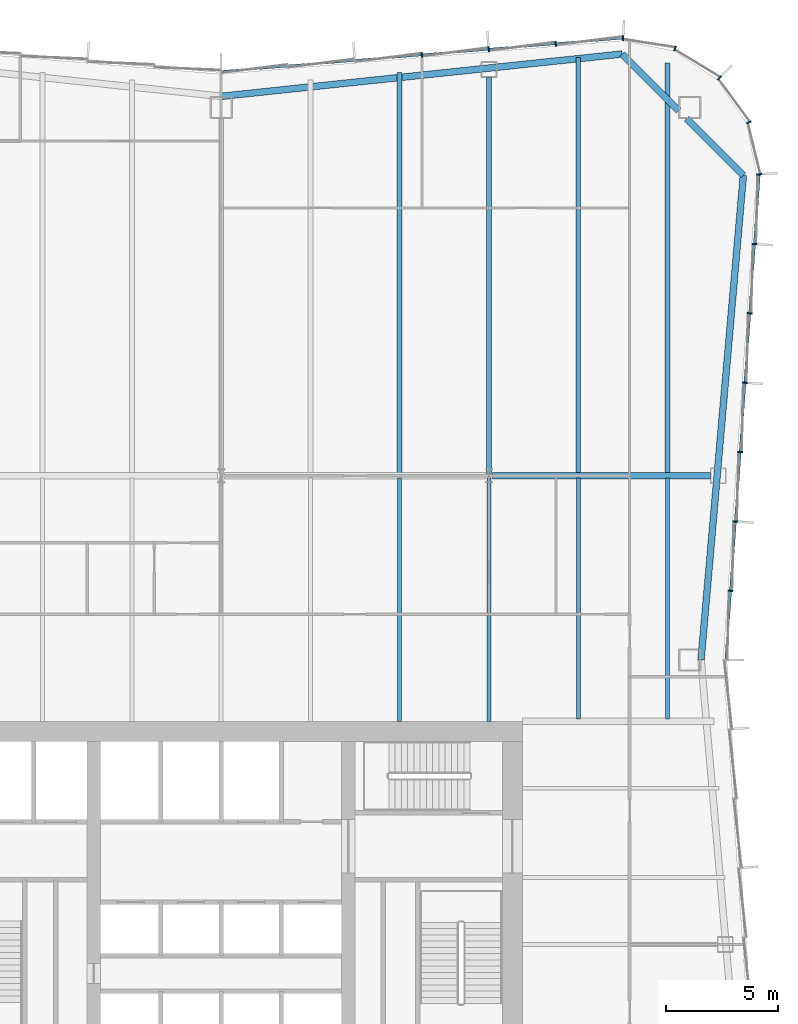
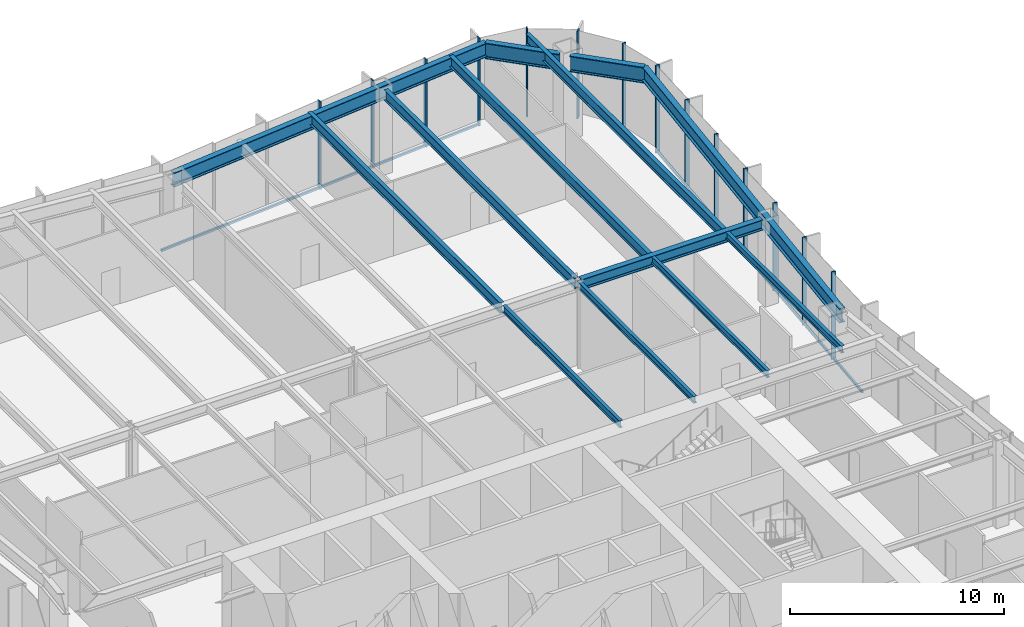
# One storey, part 6 of 16: 16 members, 13 beams, 3 elements without a shape of their own.
"""IFC4 building model written with IfcOpenShell, lengths in metres."""

from ifc_helpers import new_model, si_unit, direction, frame, origin, origin_2d, place, context, subcontext, project, spatial, rectangle, i_section, extrude, material, material_profile, profile_set, type_object, element, aggregate, save


model = new_model("IFC4")

# Units and contexts
model_context = context("Model", 3, precision=1e-05, world=origin(), true_north=direction((0.0, 1.0)))
body_context = subcontext(model_context, "Body", "Model", "MODEL_VIEW")
ifc_project = project(units=[si_unit("LENGTHUNIT", "METRE"), si_unit("AREAUNIT", "SQUARE_METRE"), si_unit("VOLUMEUNIT", "CUBIC_METRE"), si_unit("PLANEANGLEUNIT", "RADIAN"), si_unit("MASSUNIT", "GRAM", prefix="KILO")], contexts=[model_context])

# Site, building, storey
site_placement = place(None, origin())
site = spatial("IfcSite", under=ifc_project, at=site_placement, CompositionType="ELEMENT")
building_placement = place(site_placement, origin())
building = spatial("IfcBuilding", under=site, at=building_placement, Name="Verdant Reach Tower", CompositionType="ELEMENT")
storey_placement = place(building_placement, frame((0.0, 0.0, 177.0)))
storey = spatial("IfcBuildingStorey", under=building, at=storey_placement, Name="L40", CompositionType="ELEMENT", Elevation=177.0)

# Curtain wall, members
ifc_material_1 = material(Name="Anodised aluminium", Category="aluminium")
curtain_wall_type = type_object("IfcCurtainWallType", Name="EN-CW SYSTEM Z3", PredefinedType="NOTDEFINED", material=ifc_material_1)
curtain_wall_1_placement = place(storey_placement, origin())
curtain_wall_1 = element("IfcCurtainWall", 1, at=curtain_wall_1_placement, inside=storey, type_object=curtain_wall_type, Name="Curtain wall east, L40", PredefinedType="NOTDEFINED")
ifc_material_profile_1 = material_profile(ifc_material_1, rectangle(XDim=0.218017578125, YDim=0.06591796875, at=origin_2d()), Name="Mullion 66x218")
ifc_profile_set_1 = profile_set([ifc_material_profile_1], Name="Anodised aluminium")
member_type_1 = type_object("IfcMemberType", Name="EN-MULLION Z3", PredefinedType="MULLION", material=ifc_profile_set_1)
member_1_placement = place(storey_placement, frame((22.822998046875, 44.349609375, -0.35009765625), z_axis=(0.0, 0.0, 1.0), x_axis=(0.997630328423, -0.068802091615, 0.0)))
member_1 = element("IfcMember", 2, at=member_1_placement, type_object=member_type_1, Name="Mullion east face part 2 2, L40", PredefinedType="MULLION", context=body_context, shape_type="SweptSolid", body=[
    extrude(rectangle(XDim=0.218017578125, YDim=0.06591796875, at=origin_2d()), origin(), (0.0, 0.0, 1.0), 5.0),
])
member_2_placement = place(storey_placement, frame((23.037353515625, 47.456787109375, -0.35009765625), z_axis=(0.0, 0.0, 1.0), x_axis=(0.997630328423, -0.068802091615, 0.0)))
member_2 = element("IfcMember", 3, at=member_2_placement, type_object=member_type_1, Name="Mullion east face part 2 3, L40", PredefinedType="MULLION", context=body_context, shape_type="SweptSolid", body=[
    extrude(rectangle(XDim=0.218017578125, YDim=0.06591796875, at=origin_2d()), origin(), (0.0, 0.0, 1.0), 5.0),
])
member_3_placement = place(storey_placement, frame((23.251708984375, 50.56396484375, -0.35009765625), z_axis=(0.0, 0.0, 1.0), x_axis=(0.997630328423, -0.068802091615, 0.0)))
member_3 = element("IfcMember", 4, at=member_3_placement, type_object=member_type_1, Name="Mullion east face part 2 4, L40", PredefinedType="MULLION", context=body_context, shape_type="SweptSolid", body=[
    extrude(rectangle(XDim=0.218017578125, YDim=0.06591796875, at=origin_2d()), origin(), (0.0, 0.0, 1.0), 5.0),
])
member_4_placement = place(storey_placement, frame((23.4658203125, 53.671142578125, -0.35009765625), z_axis=(0.0, 0.0, 1.0), x_axis=(0.997630328423, -0.068802091615, 0.0)))
member_4 = element("IfcMember", 5, at=member_4_placement, type_object=member_type_1, Name="Mullion east face part 2 5, L40", PredefinedType="MULLION", context=body_context, shape_type="SweptSolid", body=[
    extrude(rectangle(XDim=0.218017578125, YDim=0.06591796875, at=origin_2d()), origin(), (0.0, 0.0, 1.0), 5.0),
])
member_5_placement = place(storey_placement, frame((23.68017578125, 56.7783203125, -0.35009765625), z_axis=(0.0, 0.0, 1.0), x_axis=(0.997630328423, -0.068802091615, 0.0)))
member_5 = element("IfcMember", 6, at=member_5_placement, type_object=member_type_1, Name="Mullion east face part 2 6, L40", PredefinedType="MULLION", context=body_context, shape_type="SweptSolid", body=[
    extrude(rectangle(XDim=0.218017578125, YDim=0.06591796875, at=origin_2d()), origin(), (0.0, 0.0, 1.0), 5.0),
])
member_6_placement = place(storey_placement, frame((23.89453125, 59.88525390625, -0.35009765625), z_axis=(0.0, 0.0, 1.0), x_axis=(0.997630328423, -0.068802091615, 0.0)))
member_6 = element("IfcMember", 7, at=member_6_placement, type_object=member_type_1, Name="Mullion east face part 2 7, L40", PredefinedType="MULLION", context=body_context, shape_type="SweptSolid", body=[
    extrude(rectangle(XDim=0.218017578125, YDim=0.06591796875, at=origin_2d()), origin(), (0.0, 0.0, 1.0), 5.0),
])

curtain_wall_2_placement = place(storey_placement, origin())
curtain_wall_2 = element("IfcCurtainWall", 8, at=curtain_wall_2_placement, inside=storey, type_object=curtain_wall_type, Name="Curtain wall north-east corner, L40", PredefinedType="NOTDEFINED")
member_7_placement = place(storey_placement, frame((24.10888671875, 63.0068359375, -0.35009765625), z_axis=(0.0, 0.0, 1.0), x_axis=(0.997969180898, 0.063698618332, 0.0)))
member_7 = element("IfcMember", 9, at=member_7_placement, type_object=member_type_1, Name="Mullion north-east corner 1, L40", PredefinedType="MULLION", context=body_context, shape_type="SweptSolid", body=[
    extrude(rectangle(XDim=0.218017578125, YDim=0.06591796875, at=origin_2d()), origin(), (0.0, 0.0, 1.0), 5.0),
])
member_8_placement = place(storey_placement, frame((23.64404296875, 65.337890625, -0.35009765625), z_axis=(0.0, 0.0, 1.0), x_axis=(0.923875215753, 0.382693853776, 0.0)))
member_8 = element("IfcMember", 10, at=member_8_placement, type_object=member_type_1, Name="Mullion north-east corner 2, L40", PredefinedType="MULLION", context=body_context, shape_type="SweptSolid", body=[
    extrude(rectangle(XDim=0.218017578125, YDim=0.06591796875, at=origin_2d()), origin(), (0.0, 0.0, 1.0), 5.0),
])
member_9_placement = place(storey_placement, frame((22.319580078125, 67.319580078125, -0.35009765625), z_axis=(0.0, 0.0, 1.0), x_axis=(0.707106781187, 0.707106781187, 0.0)))
member_9 = element("IfcMember", 11, at=member_9_placement, type_object=member_type_1, Name="Mullion north-east corner 3, L40", PredefinedType="MULLION", context=body_context, shape_type="SweptSolid", body=[
    extrude(rectangle(XDim=0.218017578125, YDim=0.06591796875, at=origin_2d()), origin(), (0.0, 0.0, 1.0), 5.0),
])
member_10_placement = place(storey_placement, frame((20.337890625, 68.64404296875, -0.35009765625), z_axis=(0.0, 0.0, 1.0), x_axis=(0.382693853776, 0.923875215753, 0.0)))
member_10 = element("IfcMember", 12, at=member_10_placement, type_object=member_type_1, Name="Mullion north-east corner 4, L40", PredefinedType="MULLION", context=body_context, shape_type="SweptSolid", body=[
    extrude(rectangle(XDim=0.218017578125, YDim=0.06591796875, at=origin_2d()), origin(), (0.0, 0.0, 1.0), 5.0),
])
aggregate(curtain_wall_2, [member_7, member_8, member_9, member_10])

curtain_wall_3_placement = place(storey_placement, origin())
curtain_wall_3 = element("IfcCurtainWall", 13, at=curtain_wall_3_placement, inside=storey, type_object=curtain_wall_type, Name="Curtain wall north, L40", PredefinedType="NOTDEFINED")
member_11_placement = place(storey_placement, frame((18.006103515625, 69.10888671875, -0.35009765625), z_axis=(0.0, 0.0, 1.0), x_axis=(0.056569187765, 0.998398681387, 0.0)))
member_11 = element("IfcMember", 14, at=member_11_placement, type_object=member_type_1, Name="Mullion north face part 1 1, L40", PredefinedType="MULLION", context=body_context, shape_type="SweptSolid", body=[
    extrude(rectangle(XDim=0.218017578125, YDim=0.06591796875, at=origin_2d()), origin(), (0.0, 0.0, 1.0), 5.0),
])
member_12_placement = place(storey_placement, frame((14.990966796875, 68.858642578125, -0.35009765625), z_axis=(0.0, 0.0, 1.0), x_axis=(-0.083045479859, 0.996545758244, 0.0)))
member_12 = element("IfcMember", 15, at=member_12_placement, type_object=member_type_1, Name="Mullion north face part 1 2, L40", PredefinedType="MULLION", context=body_context, shape_type="SweptSolid", body=[
    extrude(rectangle(XDim=0.218017578125, YDim=0.06591796875, at=origin_2d()), origin(), (0.0, 0.0, 1.0), 5.0),
])
member_13_placement = place(storey_placement, frame((11.990966796875, 68.608642578125, -0.35009765625), z_axis=(0.0, 0.0, 1.0), x_axis=(-0.083045479859, 0.996545758244, 0.0)))
member_13 = element("IfcMember", 16, at=member_13_placement, type_object=member_type_1, Name="Mullion north face part 1 3, L40", PredefinedType="MULLION", context=body_context, shape_type="SweptSolid", body=[
    extrude(rectangle(XDim=0.218017578125, YDim=0.06591796875, at=origin_2d()), origin(), (0.0, 0.0, 1.0), 5.0),
])
member_14_placement = place(storey_placement, frame((8.990966796875, 68.358642578125, -0.35009765625), z_axis=(0.0, 0.0, 1.0), x_axis=(-0.083045479859, 0.996545758244, 0.0)))
member_14 = element("IfcMember", 17, at=member_14_placement, type_object=member_type_1, Name="Mullion north face part 1 4, L40", PredefinedType="MULLION", context=body_context, shape_type="SweptSolid", body=[
    extrude(rectangle(XDim=0.218017578125, YDim=0.06591796875, at=origin_2d()), origin(), (0.0, 0.0, 1.0), 5.0),
])

# Member
ifc_material_profile_2 = material_profile(ifc_material_1, rectangle(XDim=0.10009765625, YDim=0.1259765625, at=origin_2d()), Name="Transom 126x100")
ifc_profile_set_2 = profile_set([ifc_material_profile_2], Name="Anodised aluminium")
member_type_2 = type_object("IfcMemberType", Name="EN-TRANSOM Z3", PredefinedType="USERDEFINED", material=ifc_profile_set_2)
member_15_placement = place(storey_placement, frame((22.611328125, 41.282958984375, -0.287109375), z_axis=(0.068764326054, 0.997632932226, 0.0), x_axis=(-0.997632932226, 0.068764326054, 0.0)))
member_15 = element("IfcMember", 18, at=member_15_placement, type_object=member_type_2, Name="Transom east face part 2 1.1, L40", ObjectType="TRANSOM", PredefinedType="USERDEFINED", context=body_context, shape_type="SweptSolid", body=[
    extrude(rectangle(XDim=0.10009765625, YDim=0.1259765625, at=origin_2d()), origin(), (0.0, 0.0, 1.0), 21.74267578125),
])

aggregate(curtain_wall_1, [member_1, member_2, member_3, member_4, member_5, member_6, member_15])

member_16_placement = place(storey_placement, frame((17.973388671875, 69.106201171875, -0.287109375), z_axis=(-0.996548750467, -0.083009565369, 0.0), x_axis=(0.083009565369, -0.996548750467, 0.0)))
member_16 = element("IfcMember", 19, at=member_16_placement, type_object=member_type_2, Name="Transom north face part 1 1.1, L40", ObjectType="TRANSOM", PredefinedType="USERDEFINED", context=body_context, shape_type="SweptSolid", body=[
    extrude(rectangle(XDim=0.10009765625, YDim=0.1259765625, at=origin_2d()), origin(), (0.0, 0.0, 1.0), 18.00244140625),
])

aggregate(curtain_wall_3, [member_11, member_12, member_13, member_14, member_16])

# Beams
ifc_material_2 = material(Name="Steel S355", Category="steel")
ifc_material_profile_3 = material_profile(ifc_material_2, i_section(OverallWidth=0.300048828125, OverallDepth=0.60009765625, WebThickness=0.015380859375, FlangeThickness=0.030029296875, FilletRadius=0.027099609375, at=origin_2d()), Name="HEB 600")
ifc_profile_set_3 = profile_set([ifc_material_profile_3], Name="Steel S355")
beam_type_1 = type_object("IfcBeamType", Name="ST-BEAM-HEB600", PredefinedType="BEAM", material=ifc_profile_set_3)
beam_1_placement = place(storey_placement, frame((12.152587890625, 49.5, 4.570068359375), z_axis=(1.0, 0.0, 0.0), x_axis=(0.0, 1.0, 0.0)))
element("IfcBeam", 20, at=beam_1_placement, inside=storey, type_object=beam_type_1, Name="Row girder, L40", PredefinedType="BEAM", context=body_context, shape_type="SweptSolid", body=[
    extrude(i_section(OverallWidth=0.300048828125, OverallDepth=0.60009765625, WebThickness=0.015380859375, FlangeThickness=0.030029296875, FilletRadius=0.027099609375, at=origin_2d()), origin(), (0.0, 0.0, 1.0), 9.766357421875),
])
ifc_material_profile_4 = material_profile(ifc_material_2, i_section(OverallWidth=0.179931640625, OverallDepth=0.39990234375, WebThickness=0.008544921875, FlangeThickness=0.013427734375, FilletRadius=0.02099609375, at=origin_2d()), Name="IPE 400")
ifc_profile_set_4 = profile_set([ifc_material_profile_4], Name="Steel S355")
beam_type_2 = type_object("IfcBeamType", Name="ST-JOIST-IPE400", PredefinedType="JOIST", material=ifc_profile_set_4)
for number, where, z_axis, x_axis, name in (
    (21, (8.0, 38.5, 4.669921875), (0.0, 1.0, 0.0), (-1.0, 0.0, 0.0), "Floor joist, L40"),
    (22, (12.0, 38.5, 4.669921875), (0.0, 1.0, 0.0), (-1.0, 0.0, 0.0), "Floor joist, L40"),
):
    element("IfcBeam", number, at=place(storey_placement, frame(where, z_axis=z_axis, x_axis=x_axis)), inside=storey, type_object=beam_type_2, Name=name, PredefinedType="JOIST", context=body_context, shape_type="SweptSolid", body=[
        extrude(i_section(OverallWidth=0.179931640625, OverallDepth=0.39990234375, WebThickness=0.008544921875, FlangeThickness=0.013427734375, FilletRadius=0.02099609375, at=origin_2d()), origin(), (0.0, 0.0, 1.0), 10.89990234375),
    ])
for number, where, z_axis, x_axis, name in (
    (23, (16.0, 38.60009765625, 4.669921875), (0.0, 1.0, 0.0), (-1.0, 0.0, 0.0), "Floor joist, L40"),
    (24, (20.0, 38.60009765625, 4.669921875), (0.0, 1.0, 0.0), (-1.0, 0.0, 0.0), "Floor joist, L40"),
):
    element("IfcBeam", number, at=place(storey_placement, frame(where, z_axis=z_axis, x_axis=x_axis)), inside=storey, type_object=beam_type_2, Name=name, PredefinedType="JOIST", context=body_context, shape_type="SweptSolid", body=[
        extrude(i_section(OverallWidth=0.179931640625, OverallDepth=0.39990234375, WebThickness=0.008544921875, FlangeThickness=0.013427734375, FilletRadius=0.02099609375, at=origin_2d()), origin(), (0.0, 0.0, 1.0), 10.7998046875),
    ])
ifc_material_profile_5 = material_profile(ifc_material_2, i_section(OverallWidth=0.219970703125, OverallDepth=0.60009765625, WebThickness=0.011962890625, FlangeThickness=0.01904296875, FilletRadius=0.02392578125, at=origin_2d()), Name="IPE 600")
ifc_profile_set_5 = profile_set([ifc_material_profile_5], Name="Steel S355")
beam_type_3 = type_object("IfcBeamType", Name="ST-JOIST-IPE600", PredefinedType="JOIST", material=ifc_profile_set_5)
beam_2_placement = place(storey_placement, frame((8.0, 49.60009765625, 4.570068359375), z_axis=(0.0, 1.0, 0.0), x_axis=(-1.0, 0.0, 0.0)))
element("IfcBeam", 25, at=beam_2_placement, inside=storey, type_object=beam_type_3, Name="Floor joist, L40", PredefinedType="JOIST", context=body_context, shape_type="SweptSolid", body=[
    extrude(i_section(OverallWidth=0.219970703125, OverallDepth=0.60009765625, WebThickness=0.011962890625, FlangeThickness=0.01904296875, FilletRadius=0.02392578125, at=origin_2d()), origin(), (0.0, 0.0, 1.0), 17.964599609375),
])
beam_3_placement = place(storey_placement, frame((12.0, 49.60009765625, 4.570068359375), z_axis=(0.0, 1.0, 0.0), x_axis=(-1.0, 0.0, 0.0)))
element("IfcBeam", 26, at=beam_3_placement, inside=storey, type_object=beam_type_3, Name="Floor joist, L40", PredefinedType="JOIST", context=body_context, shape_type="SweptSolid", body=[
    extrude(i_section(OverallWidth=0.219970703125, OverallDepth=0.60009765625, WebThickness=0.011962890625, FlangeThickness=0.01904296875, FilletRadius=0.02392578125, at=origin_2d()), origin(), (0.0, 0.0, 1.0), 17.75),
])
beam_4_placement = place(storey_placement, frame((16.0, 49.60009765625, 4.570068359375), z_axis=(0.0, 1.0, 0.0), x_axis=(-1.0, 0.0, 0.0)))
element("IfcBeam", 27, at=beam_4_placement, inside=storey, type_object=beam_type_3, Name="Floor joist, L40", PredefinedType="JOIST", context=body_context, shape_type="SweptSolid", body=[
    extrude(i_section(OverallWidth=0.219970703125, OverallDepth=0.60009765625, WebThickness=0.011962890625, FlangeThickness=0.01904296875, FilletRadius=0.02392578125, at=origin_2d()), origin(), (0.0, 0.0, 1.0), 18.631103515625),
])
beam_5_placement = place(storey_placement, frame((20.0, 49.60009765625, 4.570068359375), z_axis=(0.0, 1.0, 0.0), x_axis=(-1.0, 0.0, 0.0)))
element("IfcBeam", 28, at=beam_5_placement, inside=storey, type_object=beam_type_3, Name="Floor joist, L40", PredefinedType="JOIST", context=body_context, shape_type="SweptSolid", body=[
    extrude(i_section(OverallWidth=0.219970703125, OverallDepth=0.60009765625, WebThickness=0.011962890625, FlangeThickness=0.01904296875, FilletRadius=0.02392578125, at=origin_2d()), origin(), (0.0, 0.0, 1.0), 18.390380859375),
])
ifc_material_profile_6 = material_profile(ifc_material_2, i_section(OverallWidth=0.300048828125, OverallDepth=0.800048828125, WebThickness=0.017578125, FlangeThickness=0.032958984375, FilletRadius=0.030029296875, at=origin_2d()), Name="HEB 800")
ifc_profile_set_6 = profile_set([ifc_material_profile_6], Name="Steel S355")
beam_type_4 = type_object("IfcBeamType", Name="ST-SPANDREL-HEB800", PredefinedType="SPANDREL", material=ifc_profile_set_6)
beam_6_placement = place(storey_placement, frame((0.0, 66.5, 4.469970703125), z_axis=(0.994483067002, 0.104897232783, 0.0), x_axis=(-0.104897232783, 0.994483067002, 0.0)))
element("IfcBeam", 29, at=beam_6_placement, inside=storey, type_object=beam_type_4, Name="Edge beam, L40", PredefinedType="SPANDREL", context=body_context, shape_type="SweptSolid", body=[
    extrude(i_section(OverallWidth=0.300048828125, OverallDepth=0.800048828125, WebThickness=0.017578125, FlangeThickness=0.032958984375, FilletRadius=0.030029296875, at=origin_2d()), origin(), (0.0, 0.0, 1.0), 18.0654296875),
])
beam_7_placement = place(storey_placement, frame((23.39599609375, 62.96142578125, 4.469970703125), z_axis=(-0.086996024331, -0.996208658741, 0.0), x_axis=(0.996208658741, -0.086996024331, 0.0)))
element("IfcBeam", 30, at=beam_7_placement, inside=storey, type_object=beam_type_4, Name="Edge beam, L40", PredefinedType="SPANDREL", context=body_context, shape_type="SweptSolid", body=[
    extrude(i_section(OverallWidth=0.300048828125, OverallDepth=0.800048828125, WebThickness=0.017578125, FlangeThickness=0.032958984375, FilletRadius=0.030029296875, at=origin_2d()), origin(), (0.0, 0.0, 1.0), 21.7939453125),
])
ifc_material_profile_7 = material_profile(ifc_material_2, i_section(OverallWidth=0.302001953125, OverallDepth=0.909912109375, WebThickness=0.02099609375, FlangeThickness=0.0400390625, FilletRadius=0.030029296875, at=origin_2d()), Name="HEM 900")
ifc_profile_set_7 = profile_set([ifc_material_profile_7], Name="Steel S355")
beam_type_5 = type_object("IfcBeamType", Name="ST-SPANDREL-HEM900", PredefinedType="SPANDREL", material=ifc_profile_set_7)
beam_8_placement = place(storey_placement, frame((17.9658203125, 68.39501953125, 4.4150390625), z_axis=(0.706868394255, -0.707345087777, 0.0), x_axis=(0.707345087777, 0.706868394255, 0.0)))
element("IfcBeam", 31, at=beam_8_placement, inside=storey, type_object=beam_type_5, Name="Edge beam, L40", PredefinedType="SPANDREL", context=body_context, shape_type="SweptSolid", body=[
    extrude(i_section(OverallWidth=0.302001953125, OverallDepth=0.909912109375, WebThickness=0.02099609375, FlangeThickness=0.0400390625, FilletRadius=0.030029296875, at=origin_2d()), origin(), (0.0, 0.0, 1.0), 3.5849609375),
])
beam_9_placement = place(storey_placement, frame((20.85888671875, 65.5, 4.4150390625), z_axis=(0.706902680526, -0.707310822952, 0.0), x_axis=(0.707310822952, 0.706902680526, 0.0)))
element("IfcBeam", 32, at=beam_9_placement, inside=storey, type_object=beam_type_5, Name="Edge beam, L40", PredefinedType="SPANDREL", context=body_context, shape_type="SweptSolid", body=[
    extrude(i_section(OverallWidth=0.302001953125, OverallDepth=0.909912109375, WebThickness=0.02099609375, FlangeThickness=0.0400390625, FilletRadius=0.030029296875, at=origin_2d()), origin(), (0.0, 0.0, 1.0), 3.589111328125),
])

save(model, "model.ifc")
